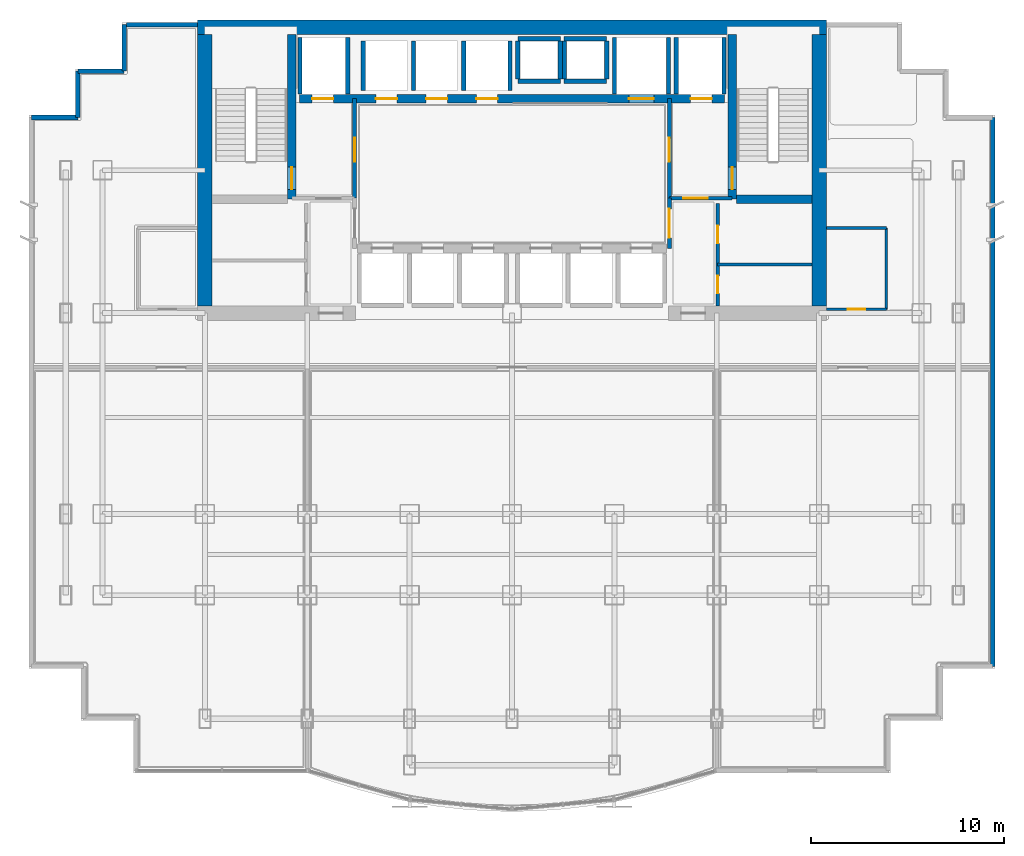
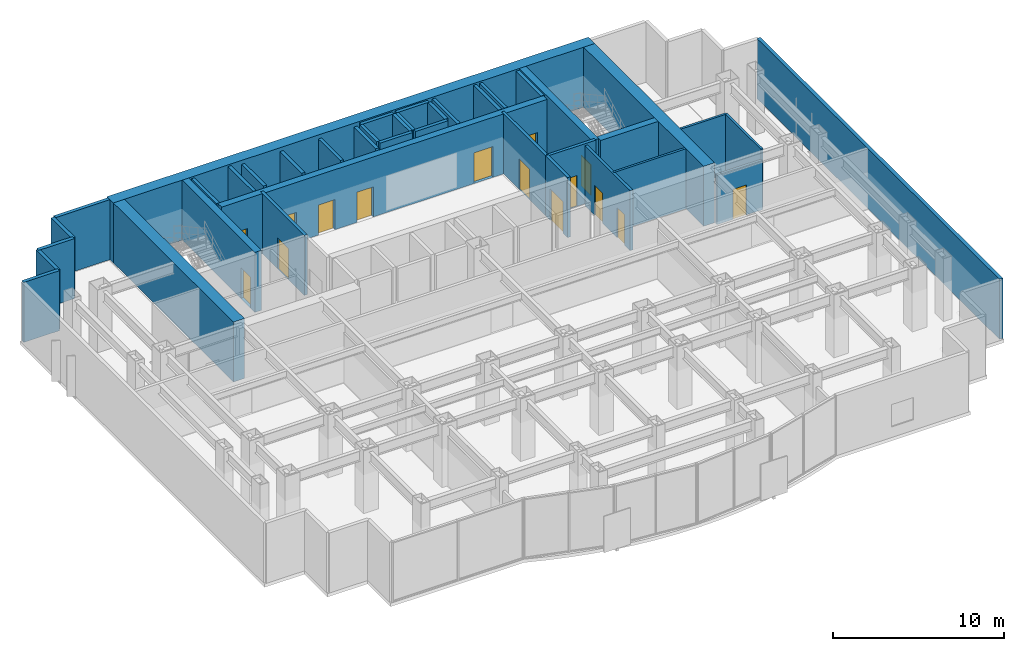
# One storey, part 6 of 9: 40 walls, 15 doors, 15 openings.
"""IFC4 building model written with IfcOpenShell, lengths in metres."""

from ifc_helpers import new_model, si_unit, direction, frame, frame_2d, origin, place, context, subcontext, project, spatial, rectangle, extrude, material, layer, layer_set, type_object, element, fill, save


model = new_model("IFC4")

# Units and contexts
model_context = context("Model", 3, precision=1e-05, world=origin(), true_north=direction((0.0, 1.0)))
body_context = subcontext(model_context, "Body", "Model", "MODEL_VIEW")
ifc_project = project(units=[si_unit("LENGTHUNIT", "METRE"), si_unit("AREAUNIT", "SQUARE_METRE"), si_unit("VOLUMEUNIT", "CUBIC_METRE"), si_unit("PLANEANGLEUNIT", "RADIAN"), si_unit("MASSUNIT", "GRAM", prefix="KILO")], contexts=[model_context])

# Site, building, storey
site_placement = place(None, origin())
site = spatial("IfcSite", under=ifc_project, at=site_placement, CompositionType="ELEMENT")
building_placement = place(site_placement, origin())
building = spatial("IfcBuilding", under=site, at=building_placement, Name="Qianlan Lanfeng Residences", CompositionType="ELEMENT")
storey_placement = place(building_placement, frame((0.0, 0.0, 77.199951171875)))
storey = spatial("IfcBuildingStorey", under=building, at=storey_placement, Name="L20", CompositionType="ELEMENT", Elevation=77.199951171875)

# Wall, opening, door
ifc_material_1 = material(Name="Concrete C60", Category="concrete")
ifc_layer_1 = layer(ifc_material_1, 0.449951171875)
ifc_layer_set_1 = layer_set([ifc_layer_1], Name="Concrete C60")
wall_type_1 = type_object("IfcWallType", Name="CW-RC-450", PredefinedType="SHEAR", material=ifc_layer_set_1)
wall_1_placement = place(storey_placement, frame((15.10009765625, 31.10009765625, 0.0), z_axis=(0.0, 0.0, 1.0), x_axis=(0.0, 1.0, 0.0)))
wall_1 = element("IfcWall", 1, at=wall_1_placement, inside=storey, type_object=wall_type_1, Name="L20 Core Shear Wall ST1E", PredefinedType="SHEAR", context=body_context, shape_type="SweptSolid", body=[
    extrude(rectangle(XDim=8.52490234375, YDim=0.449951171875, at=frame_2d((4.262451171875, 0.0))), origin(), (0.0, 0.0, 1.0), 4.2900390625),
])
opening_1_placement = place(wall_1_placement, frame((0.510009765625, 0.0, 0.0)))
opening_1 = element("IfcOpeningElement", 2, at=opening_1_placement, cuts=wall_1, Name="Opening L20-D07", PredefinedType="OPENING", context=body_context, shape_type="SweptSolid", body=[
    extrude(rectangle(XDim=1.14990234375, YDim=2.199951171875, at=frame_2d((0.574951171875, 1.10009765625))), frame((0.0, 0.23486328125, 0.0), z_axis=(0.0, -1.0, 0.0), x_axis=(1.0, 0.0, 0.0)), (0.0, 0.0, 1.0), 0.469970703125),
])
ifc_material_2 = material(Name="Painted Galvanised Steel Fire Door", Category="steel")
door_type_1 = type_object("IfcDoorType", Name="DT-ST1", OperationType="NOTDEFINED", PredefinedType="DOOR", material=ifc_material_2)
door_1_placement = place(opening_1_placement, frame((1.14990234375, 0.0, 0.0), z_axis=(0.0, 0.0, 1.0), x_axis=(-1.0, 0.0, 0.0)))
door_1 = element("IfcDoor", 3, at=door_1_placement, inside=storey, type_object=door_type_1, Name="L20 Exit Stair ST-1 Door L20-D07 (DT-ST1)", OperationType="SINGLE_SWING_RIGHT", OverallHeight=2.199951171875, OverallWidth=1.14990234375, PredefinedType="DOOR", context=body_context, shape_type="SweptSolid", body=[
    extrude(rectangle(XDim=1.14990234375, YDim=2.199951171875, at=frame_2d((0.574951171875, 1.10009765625))), frame((0.0, 0.02490234375, 0.0), z_axis=(0.0, -1.0, 0.0), x_axis=(1.0, 0.0, 0.0)), (0.0, 0.0, 1.0), 0.050048828125),
])
fill(opening_1, door_1)

wall_2_placement = place(storey_placement, frame((37.89990234375, 31.10009765625, 0.0), z_axis=(0.0, 0.0, 1.0), x_axis=(0.0, 1.0, 0.0)))
wall_2 = element("IfcWall", 4, at=wall_2_placement, inside=storey, type_object=wall_type_1, Name="L20 Core Shear Wall ST2W", PredefinedType="SHEAR", context=body_context, shape_type="SweptSolid", body=[
    extrude(rectangle(XDim=8.52490234375, YDim=0.449951171875, at=frame_2d((4.262451171875, 0.0))), origin(), (0.0, 0.0, 1.0), 4.2900390625),
])
opening_2_placement = place(wall_2_placement, frame((0.510009765625, 0.0, 0.0)))
opening_2 = element("IfcOpeningElement", 5, at=opening_2_placement, cuts=wall_2, Name="Opening L20-D08", PredefinedType="OPENING", context=body_context, shape_type="SweptSolid", body=[
    extrude(rectangle(XDim=1.14990234375, YDim=2.199951171875, at=frame_2d((0.574951171875, 1.10009765625))), frame((0.0, 0.23486328125, 0.0), z_axis=(0.0, -1.0, 0.0), x_axis=(1.0, 0.0, 0.0)), (0.0, 0.0, 1.0), 0.469970703125),
])
door_2_placement = place(opening_2_placement, origin())
door_2 = element("IfcDoor", 6, at=door_2_placement, inside=storey, type_object=door_type_1, Name="L20 Exit Stair ST-2 Door L20-D08 (DT-ST1)", OperationType="SINGLE_SWING_RIGHT", OverallHeight=2.199951171875, OverallWidth=1.14990234375, PredefinedType="DOOR", context=body_context, shape_type="SweptSolid", body=[
    extrude(rectangle(XDim=1.14990234375, YDim=2.199951171875, at=frame_2d((0.574951171875, 1.10009765625))), frame((0.0, 0.02490234375, 0.0), z_axis=(0.0, -1.0, 0.0), x_axis=(1.0, 0.0, 0.0)), (0.0, 0.0, 1.0), 0.050048828125),
])
fill(opening_2, door_2)

# Wall
wall_3_placement = place(storey_placement, frame((38.125, 31.10009765625, 0.0), z_axis=(0.0, 0.0, 1.0), x_axis=(1.0, 0.0, 0.0)))
element("IfcWall", 7, at=wall_3_placement, inside=storey, type_object=wall_type_1, Name="L20 Core Shear Wall ST2S", PredefinedType="SHEAR", context=body_context, shape_type="SweptSolid", body=[
    extrude(rectangle(XDim=3.89990234375, YDim=0.449951171875, at=frame_2d((1.949951171875, 0.0))), origin(), (0.0, 0.0, 1.0), 4.2900390625),
])

# Wall, openings, doors
wall_4_placement = place(storey_placement, frame((15.5, 36.300048828125, 0.0), z_axis=(0.0, 0.0, 1.0), x_axis=(1.0, 0.0, 0.0)))
wall_4 = element("IfcWall", 8, at=wall_4_placement, inside=storey, type_object=wall_type_1, Name="L20 Core Shear Wall LBN", PredefinedType="SHEAR", context=body_context, shape_type="SweptSolid", body=[
    extrude(rectangle(XDim=22.0, YDim=0.449951171875, at=frame_2d((11.0, 0.0))), origin(), (0.0, 0.0, 1.0), 4.2900390625),
])
opening_3_placement = place(wall_4_placement, frame((0.64990234375, 0.0, 0.0)))
opening_3 = element("IfcOpeningElement", 9, at=opening_3_placement, cuts=wall_4, Name="Opening L20-LD-FFL-1", PredefinedType="OPENING", context=body_context, shape_type="SweptSolid", body=[
    extrude(rectangle(XDim=1.10009765625, YDim=2.14990234375, at=frame_2d((0.550048828125, 1.074951171875))), frame((0.0, 0.23486328125, 0.0), z_axis=(0.0, -1.0, 0.0), x_axis=(1.0, 0.0, 0.0)), (0.0, 0.0, 1.0), 0.469970703125),
])
opening_4_placement = place(wall_4_placement, frame((20.25, 0.0, 0.0)))
opening_4 = element("IfcOpeningElement", 10, at=opening_4_placement, cuts=wall_4, Name="Opening L20-LD-FFL-2", PredefinedType="OPENING", context=body_context, shape_type="SweptSolid", body=[
    extrude(rectangle(XDim=1.10009765625, YDim=2.14990234375, at=frame_2d((0.550048828125, 1.074951171875))), frame((0.0, 0.23486328125, 0.0), z_axis=(0.0, -1.0, 0.0), x_axis=(1.0, 0.0, 0.0)), (0.0, 0.0, 1.0), 0.469970703125),
])
opening_5_placement = place(wall_4_placement, frame((17.050048828125, 0.0, 0.0)))
opening_5 = element("IfcOpeningElement", 11, at=opening_5_placement, cuts=wall_4, Name="Opening L20-LD-SVL-1", PredefinedType="OPENING", context=body_context, shape_type="SweptSolid", body=[
    extrude(rectangle(XDim=1.300048828125, YDim=2.199951171875, at=frame_2d((0.64990234375, 1.10009765625))), frame((0.0, 0.23486328125, 0.0), z_axis=(0.0, -1.0, 0.0), x_axis=(1.0, 0.0, 0.0)), (0.0, 0.0, 1.0), 0.469970703125),
])
opening_6_placement = place(wall_4_placement, frame((3.949951171875, 0.0, 0.0)))
opening_6 = element("IfcOpeningElement", 12, at=opening_6_placement, cuts=wall_4, Name="Opening L20-LD-PL-H1", PredefinedType="OPENING", context=body_context, shape_type="SweptSolid", body=[
    extrude(rectangle(XDim=1.10009765625, YDim=2.14990234375, at=frame_2d((0.550048828125, 1.074951171875))), frame((0.0, 0.23486328125, 0.0), z_axis=(0.0, -1.0, 0.0), x_axis=(1.0, 0.0, 0.0)), (0.0, 0.0, 1.0), 0.469970703125),
])
opening_7_placement = place(wall_4_placement, frame((6.550048828125, 0.0, 0.0)))
opening_7 = element("IfcOpeningElement", 13, at=opening_7_placement, cuts=wall_4, Name="Opening L20-LD-PL-H2", PredefinedType="OPENING", context=body_context, shape_type="SweptSolid", body=[
    extrude(rectangle(XDim=1.10009765625, YDim=2.14990234375, at=frame_2d((0.550048828125, 1.074951171875))), frame((0.0, 0.23486328125, 0.0), z_axis=(0.0, -1.0, 0.0), x_axis=(1.0, 0.0, 0.0)), (0.0, 0.0, 1.0), 0.469970703125),
])
opening_8_placement = place(wall_4_placement, frame((9.14990234375, 0.0, 0.0)))
opening_8 = element("IfcOpeningElement", 14, at=opening_8_placement, cuts=wall_4, Name="Opening L20-LD-PL-H3", PredefinedType="OPENING", context=body_context, shape_type="SweptSolid", body=[
    extrude(rectangle(XDim=1.10009765625, YDim=2.14990234375, at=frame_2d((0.550048828125, 1.074951171875))), frame((0.0, 0.23486328125, 0.0), z_axis=(0.0, -1.0, 0.0), x_axis=(1.0, 0.0, 0.0)), (0.0, 0.0, 1.0), 0.469970703125),
])
ifc_material_3 = material(Name="Brushed Stainless Steel Sliding Lift Door", Category="steel")
door_type_2 = type_object("IfcDoorType", Name="LD-01", OperationType="NOTDEFINED", PredefinedType="DOOR", material=ifc_material_3)
door_3_placement = place(opening_3_placement, frame((1.10009765625, 0.0, 0.0), z_axis=(0.0, 0.0, 1.0), x_axis=(-1.0, 0.0, 0.0)))
door_3 = element("IfcDoor", 15, at=door_3_placement, inside=storey, type_object=door_type_2, Name="L20 Elevator FFL-1 Sliding Landing Door", OperationType="DOUBLE_DOOR_SLIDING", OverallHeight=2.14990234375, OverallWidth=1.10009765625, PredefinedType="DOOR", context=body_context, shape_type="SweptSolid", body=[
    extrude(rectangle(XDim=1.10009765625, YDim=2.14990234375, at=frame_2d((0.550048828125, 1.074951171875))), frame((0.0, 0.02490234375, 0.0), z_axis=(0.0, -1.0, 0.0), x_axis=(1.0, 0.0, 0.0)), (0.0, 0.0, 1.0), 0.050048828125),
])
fill(opening_3, door_3)
door_4_placement = place(opening_4_placement, frame((1.10009765625, 0.0, 0.0), z_axis=(0.0, 0.0, 1.0), x_axis=(-1.0, 0.0, 0.0)))
door_4 = element("IfcDoor", 16, at=door_4_placement, inside=storey, type_object=door_type_2, Name="L20 Elevator FFL-2 Sliding Landing Door", OperationType="DOUBLE_DOOR_SLIDING", OverallHeight=2.14990234375, OverallWidth=1.10009765625, PredefinedType="DOOR", context=body_context, shape_type="SweptSolid", body=[
    extrude(rectangle(XDim=1.10009765625, YDim=2.14990234375, at=frame_2d((0.550048828125, 1.074951171875))), frame((0.0, 0.02490234375, 0.0), z_axis=(0.0, -1.0, 0.0), x_axis=(1.0, 0.0, 0.0)), (0.0, 0.0, 1.0), 0.050048828125),
])
fill(opening_4, door_4)
door_5_placement = place(opening_6_placement, frame((1.10009765625, 0.0, 0.0), z_axis=(0.0, 0.0, 1.0), x_axis=(-1.0, 0.0, 0.0)))
door_5 = element("IfcDoor", 17, at=door_5_placement, inside=storey, type_object=door_type_2, Name="L20 Elevator PL-H1 Sliding Landing Door", OperationType="DOUBLE_DOOR_SLIDING", OverallHeight=2.14990234375, OverallWidth=1.10009765625, PredefinedType="DOOR", context=body_context, shape_type="SweptSolid", body=[
    extrude(rectangle(XDim=1.10009765625, YDim=2.14990234375, at=frame_2d((0.550048828125, 1.074951171875))), frame((0.0, 0.02490234375, 0.0), z_axis=(0.0, -1.0, 0.0), x_axis=(1.0, 0.0, 0.0)), (0.0, 0.0, 1.0), 0.050048828125),
])
fill(opening_6, door_5)
door_6_placement = place(opening_7_placement, frame((1.10009765625, 0.0, 0.0), z_axis=(0.0, 0.0, 1.0), x_axis=(-1.0, 0.0, 0.0)))
door_6 = element("IfcDoor", 18, at=door_6_placement, inside=storey, type_object=door_type_2, Name="L20 Elevator PL-H2 Sliding Landing Door", OperationType="DOUBLE_DOOR_SLIDING", OverallHeight=2.14990234375, OverallWidth=1.10009765625, PredefinedType="DOOR", context=body_context, shape_type="SweptSolid", body=[
    extrude(rectangle(XDim=1.10009765625, YDim=2.14990234375, at=frame_2d((0.550048828125, 1.074951171875))), frame((0.0, 0.02490234375, 0.0), z_axis=(0.0, -1.0, 0.0), x_axis=(1.0, 0.0, 0.0)), (0.0, 0.0, 1.0), 0.050048828125),
])
fill(opening_7, door_6)
door_7_placement = place(opening_8_placement, frame((1.10009765625, 0.0, 0.0), z_axis=(0.0, 0.0, 1.0), x_axis=(-1.0, 0.0, 0.0)))
door_7 = element("IfcDoor", 19, at=door_7_placement, inside=storey, type_object=door_type_2, Name="L20 Elevator PL-H3 Sliding Landing Door", OperationType="DOUBLE_DOOR_SLIDING", OverallHeight=2.14990234375, OverallWidth=1.10009765625, PredefinedType="DOOR", context=body_context, shape_type="SweptSolid", body=[
    extrude(rectangle(XDim=1.10009765625, YDim=2.14990234375, at=frame_2d((0.550048828125, 1.074951171875))), frame((0.0, 0.02490234375, 0.0), z_axis=(0.0, -1.0, 0.0), x_axis=(1.0, 0.0, 0.0)), (0.0, 0.0, 1.0), 0.050048828125),
])
fill(opening_8, door_7)
door_type_3 = type_object("IfcDoorType", Name="LD-02", OperationType="NOTDEFINED", PredefinedType="DOOR", material=ifc_material_3)
door_8_placement = place(opening_5_placement, frame((1.300048828125, 0.0, 0.0), z_axis=(0.0, 0.0, 1.0), x_axis=(-1.0, 0.0, 0.0)))
door_8 = element("IfcDoor", 20, at=door_8_placement, inside=storey, type_object=door_type_3, Name="L20 Elevator SVL-1 Sliding Landing Door", OperationType="DOUBLE_DOOR_SLIDING", OverallHeight=2.199951171875, OverallWidth=1.300048828125, PredefinedType="DOOR", context=body_context, shape_type="SweptSolid", body=[
    extrude(rectangle(XDim=1.300048828125, YDim=2.199951171875, at=frame_2d((0.64990234375, 1.10009765625))), frame((0.0, 0.02490234375, 0.0), z_axis=(0.0, -1.0, 0.0), x_axis=(1.0, 0.0, 0.0)), (0.0, 0.0, 1.0), 0.050048828125),
])
fill(opening_5, door_8)

# Walls
ifc_layer_2 = layer(ifc_material_1, 0.75)
ifc_layer_set_2 = layer_set([ifc_layer_2], Name="Concrete C60")
wall_type_2 = type_object("IfcWallType", Name="CW-RC-750", PredefinedType="SHEAR", material=ifc_layer_set_2)
wall_5_placement = place(storey_placement, frame((10.22509765625, 40.0, 0.0), z_axis=(0.0, 0.0, 1.0), x_axis=(1.0, 0.0, 0.0)))
element("IfcWall", 21, at=wall_5_placement, inside=storey, type_object=wall_type_2, Name="L20 Core Shear Wall N", PredefinedType="SHEAR", context=body_context, shape_type="SweptSolid", body=[
    extrude(rectangle(XDim=32.5498046875, YDim=0.75, at=frame_2d((16.27490234375, 0.0))), origin(), (0.0, 0.0, 1.0), 4.2900390625),
])
for number, where, z_axis, x_axis, name in (
    (22, (10.60009765625, 25.574951171875, 0.0), (0.0, 0.0, 1.0), (0.0, 1.0, 0.0), "L20 Core Shear Wall W"),
    (23, (42.39990234375, 25.574951171875, 0.0), (0.0, 0.0, 1.0), (0.0, 1.0, 0.0), "L20 Core Shear Wall E"),
):
    element("IfcWall", number, at=place(storey_placement, frame(where, z_axis=z_axis, x_axis=x_axis)), inside=storey, type_object=wall_type_2, Name=name, PredefinedType="SHEAR", context=body_context, shape_type="SweptSolid", body=[
        extrude(rectangle(XDim=14.050048828125, YDim=0.75, at=frame_2d((7.02490234375, 0.0))), origin(), (0.0, 0.0, 1.0), 4.2900390625),
    ])
ifc_material_4 = material(Name="Concrete C42", Category="concrete")
ifc_layer_3 = layer(ifc_material_4, 0.239990234375)
ifc_layer_set_3 = layer_set([ifc_layer_3], Name="Concrete C42")
wall_type_3 = type_object("IfcWallType", Name="EW-240", PredefinedType="SOLIDWALL", material=ifc_layer_set_3)
wall_6_placement = place(storey_placement, frame((51.3798828125, 6.919921875, 0.0), z_axis=(0.0, 0.0, 1.0), x_axis=(0.0, 1.0, 0.0)))
element("IfcWall", 24, at=wall_6_placement, inside=storey, type_object=wall_type_3, Name="L20 Exterior Facade Spandrel Wall 10", PredefinedType="SOLIDWALL", context=body_context, shape_type="SweptSolid", body=[
    extrude(rectangle(XDim=28.41015625, YDim=0.239990234375, at=frame_2d((14.205078125, 0.0))), origin(), (0.0, 0.0, 1.0), 4.2900390625),
])
wall_7_placement = place(storey_placement, frame((10.22509765625, 40.1298828125, 0.0), z_axis=(0.0, 0.0, 1.0), x_axis=(-1.0, 0.0, 0.0)))
element("IfcWall", 25, at=wall_7_placement, inside=storey, type_object=wall_type_3, Name="L20 North Wing Exterior Wall W", PredefinedType="SOLIDWALL", context=body_context, shape_type="SweptSolid", body=[
    extrude(rectangle(XDim=3.675048828125, YDim=0.239990234375, at=frame_2d((1.83740234375, 0.0))), origin(), (0.0, 0.0, 1.0), 4.2900390625),
])
for number, where, z_axis, x_axis, name in (
    (26, (6.419921875, 40.1298828125, 0.0), (0.0, 0.0, 1.0), (0.0, -1.0, 0.0), "L20 Exterior Facade Spandrel Wall 17"),
    (27, (6.419921875, 37.72998046875, 0.0), (0.0, 0.0, 1.0), (-1.0, 0.0, 0.0), "L20 Exterior Facade Spandrel Wall 18"),
    (28, (4.02001953125, 37.72998046875, 0.0), (0.0, 0.0, 1.0), (0.0, -1.0, 0.0), "L20 Exterior Facade Spandrel Wall 19"),
    (29, (4.02001953125, 35.330078125, 0.0), (0.0, 0.0, 1.0), (-1.0, 0.0, 0.0), "L20 Exterior Facade Spandrel Wall 20"),
):
    element("IfcWall", number, at=place(storey_placement, frame(where, z_axis=z_axis, x_axis=x_axis)), inside=storey, type_object=wall_type_3, Name=name, PredefinedType="SOLIDWALL", context=body_context, shape_type="SweptSolid", body=[
        extrude(rectangle(XDim=2.39990234375, YDim=0.239990234375, at=frame_2d((1.199951171875, 0.0))), origin(), (0.0, 0.0, 1.0), 4.2900390625),
    ])
ifc_material_5 = material(Name="Acoustic Drywall Partition 150 mm")
ifc_layer_4 = layer(ifc_material_5, 0.14990234375)
ifc_layer_set_4 = layer_set([ifc_layer_4], Name="Acoustic Drywall Partition 150 mm")
wall_type_4 = type_object("IfcWallType", Name="PW-150", PredefinedType="PARTITIONING", material=ifc_layer_set_4)
wall_8_placement = place(storey_placement, frame((37.14990234375, 27.72509765625, 0.0), z_axis=(0.0, 0.0, 1.0), x_axis=(1.0, 0.0, 0.0)))
element("IfcWall", 30, at=wall_8_placement, inside=storey, type_object=wall_type_4, Name="L20 Core East Split", PredefinedType="PARTITIONING", context=body_context, shape_type="SweptSolid", body=[
    extrude(rectangle(XDim=4.875, YDim=0.14990234375, at=frame_2d((2.4375, 0.0))), origin(), (0.0, 0.0, 1.0), 4.2900390625),
])

# Wall, opening, door
wall_9_placement = place(storey_placement, frame((42.77490234375, 25.39990234375, 0.0), z_axis=(0.0, 0.0, 1.0), x_axis=(1.0, 0.0, 0.0)))
wall_9 = element("IfcWall", 31, at=wall_9_placement, inside=storey, type_object=wall_type_4, Name="L20 Accessible WC South Wall", PredefinedType="PARTITIONING", context=body_context, shape_type="SweptSolid", body=[
    extrude(rectangle(XDim=3.10009765625, YDim=0.14990234375, at=frame_2d((1.550048828125, 0.0))), origin(), (0.0, 0.0, 1.0), 3.53515625),
])
opening_9_placement = place(wall_9_placement, frame((1.10009765625, 0.0, 0.0)))
opening_9 = element("IfcOpeningElement", 32, at=opening_9_placement, cuts=wall_9, Name="Opening L20-D19", PredefinedType="OPENING", context=body_context, shape_type="SweptSolid", body=[
    extrude(rectangle(XDim=0.89990234375, YDim=2.14990234375, at=frame_2d((0.449951171875, 1.074951171875))), frame((0.0, 0.0849609375, 0.0), z_axis=(0.0, -1.0, 0.0), x_axis=(1.0, 0.0, 0.0)), (0.0, 0.0, 1.0), 0.169921875),
])
ifc_material_6 = material(Name="Moisture-Resistant Timber Leaf", Category="wood")
door_type_4 = type_object("IfcDoorType", Name="DT-WC", OperationType="NOTDEFINED", PredefinedType="DOOR", material=ifc_material_6)
door_9_placement = place(opening_9_placement, origin())
door_9 = element("IfcDoor", 33, at=door_9_placement, inside=storey, type_object=door_type_4, Name="L20 Accessible WC Door L20-D19 (DT-WC)", OperationType="SINGLE_SWING_LEFT", OverallHeight=2.14990234375, OverallWidth=0.89990234375, PredefinedType="DOOR", context=body_context, shape_type="SweptSolid", body=[
    extrude(rectangle(XDim=0.89990234375, YDim=2.14990234375, at=frame_2d((0.449951171875, 1.074951171875))), frame((0.0, 0.02490234375, 0.0), z_axis=(0.0, -1.0, 0.0), x_axis=(1.0, 0.0, 0.0)), (0.0, 0.0, 1.0), 0.050048828125),
])
fill(opening_9, door_9)

# Walls
wall_10_placement = place(storey_placement, frame((45.875, 25.39990234375, 0.0), z_axis=(0.0, 0.0, 1.0), x_axis=(0.0, 1.0, 0.0)))
element("IfcWall", 34, at=wall_10_placement, inside=storey, type_object=wall_type_4, Name="L20 Accessible WC East Wall", PredefinedType="PARTITIONING", context=body_context, shape_type="SweptSolid", body=[
    extrude(rectangle(XDim=4.2001953125, YDim=0.14990234375, at=frame_2d((2.10009765625, 0.0))), origin(), (0.0, 0.0, 1.0), 4.2900390625),
])
wall_11_placement = place(storey_placement, frame((42.77490234375, 29.60009765625, 0.0), z_axis=(0.0, 0.0, 1.0), x_axis=(1.0, 0.0, 0.0)))
element("IfcWall", 35, at=wall_11_placement, inside=storey, type_object=wall_type_4, Name="L20 Accessible WC North Wall", PredefinedType="PARTITIONING", context=body_context, shape_type="SweptSolid", body=[
    extrude(rectangle(XDim=3.10009765625, YDim=0.14990234375, at=frame_2d((1.550048828125, 0.0))), origin(), (0.0, 0.0, 1.0), 4.2900390625),
])

# Wall, openings, doors
ifc_material_7 = material(Name="Double-Layer Acoustic Gypsum Stud Wall 180 mm")
ifc_layer_5 = layer(ifc_material_7, 0.179931640625)
ifc_layer_set_5 = layer_set([ifc_layer_5], Name="Double-Layer Acoustic Gypsum Stud Wall 180 mm")
wall_type_5 = type_object("IfcWallType", Name="PW-180", PredefinedType="PARTITIONING", material=ifc_layer_set_5)
wall_12_placement = place(storey_placement, frame((37.14990234375, 25.574951171875, 0.0), z_axis=(0.0, 0.0, 1.0), x_axis=(0.0, 1.0, 0.0)))
wall_12 = element("IfcWall", 36, at=wall_12_placement, inside=storey, type_object=wall_type_5, Name="L20 Core East Service Room Wall", PredefinedType="PARTITIONING", context=body_context, shape_type="SweptSolid", body=[
    extrude(rectangle(XDim=5.300048828125, YDim=0.179931640625, at=frame_2d((2.64990234375, 0.0))), origin(), (0.0, 0.0, 1.0), 4.2900390625),
])
opening_10_placement = place(wall_12_placement, frame((0.64990234375, 0.0, 0.0)))
opening_10 = element("IfcOpeningElement", 37, at=opening_10_placement, cuts=wall_12, Name="Opening L20-D11", PredefinedType="OPENING", context=body_context, shape_type="SweptSolid", body=[
    extrude(rectangle(XDim=0.89990234375, YDim=2.14990234375, at=frame_2d((0.449951171875, 1.074951171875))), frame((0.0, 0.10009765625, 0.0), z_axis=(0.0, -1.0, 0.0), x_axis=(1.0, 0.0, 0.0)), (0.0, 0.0, 1.0), 0.199951171875),
])
opening_11_placement = place(wall_12_placement, frame((3.239990234375, 0.0, 0.0)))
opening_11 = element("IfcOpeningElement", 38, at=opening_11_placement, cuts=wall_12, Name="Opening L20-D12", PredefinedType="OPENING", context=body_context, shape_type="SweptSolid", body=[
    extrude(rectangle(XDim=0.919921875, YDim=2.14990234375, at=frame_2d((0.4599609375, 1.074951171875))), frame((0.0, 0.10009765625, 0.0), z_axis=(0.0, -1.0, 0.0), x_axis=(1.0, 0.0, 0.0)), (0.0, 0.0, 1.0), 0.199951171875),
])
ifc_material_8 = material(Name="Glazed Timber Kitchen/Study Door", Category="wood")
door_type_5 = type_object("IfcDoorType", Name="DT-INT", OperationType="NOTDEFINED", PredefinedType="DOOR", material=ifc_material_8)
door_10_placement = place(opening_11_placement, origin())
door_10 = element("IfcDoor", 39, at=door_10_placement, inside=storey, type_object=door_type_5, Name="L20 Refuse Room Door L20-D12 (DT-INT)", OperationType="SINGLE_SWING_RIGHT", OverallHeight=2.14990234375, OverallWidth=0.919921875, PredefinedType="DOOR", context=body_context, shape_type="SweptSolid", body=[
    extrude(rectangle(XDim=0.919921875, YDim=2.14990234375, at=frame_2d((0.4599609375, 1.074951171875))), frame((0.0, 0.02490234375, 0.0), z_axis=(0.0, -1.0, 0.0), x_axis=(1.0, 0.0, 0.0)), (0.0, 0.0, 1.0), 0.050048828125),
])
fill(opening_11, door_10)
door_11_placement = place(opening_10_placement, origin())
door_11 = element("IfcDoor", 40, at=door_11_placement, inside=storey, type_object=door_type_4, Name="L20 Core WC Door L20-D11 (DT-WC)", OperationType="SINGLE_SWING_LEFT", OverallHeight=2.14990234375, OverallWidth=0.89990234375, PredefinedType="DOOR", context=body_context, shape_type="SweptSolid", body=[
    extrude(rectangle(XDim=0.89990234375, YDim=2.14990234375, at=frame_2d((0.449951171875, 1.074951171875))), frame((0.0, 0.02490234375, 0.0), z_axis=(0.0, -1.0, 0.0), x_axis=(1.0, 0.0, 0.0)), (0.0, 0.0, 1.0), 0.050048828125),
])
fill(opening_10, door_11)

# Wall, opening, door
ifc_material_9 = material(Name="Autoclaved Aerated Concrete Blockwork 200 mm", Category="masonry")
ifc_layer_6 = layer(ifc_material_9, 0.199951171875)
ifc_layer_set_6 = layer_set([ifc_layer_6], Name="Autoclaved Aerated Concrete Blockwork 200 mm")
wall_type_6 = type_object("IfcWallType", Name="PW-200", PredefinedType="PARTITIONING", material=ifc_layer_set_6)
wall_13_placement = place(storey_placement, frame((18.35009765625, 31.14990234375, 0.0), z_axis=(0.0, 0.0, 1.0), x_axis=(0.0, 1.0, 0.0)))
wall_13 = element("IfcWall", 41, at=wall_13_placement, inside=storey, type_object=wall_type_6, Name="L20 Firefighting Lobby 1 East Wall", PredefinedType="PARTITIONING", context=body_context, shape_type="SweptSolid", body=[
    extrude(rectangle(XDim=5.150146484375, YDim=0.199951171875, at=frame_2d((2.5751953125, 0.0))), origin(), (0.0, 0.0, 1.0), 4.2900390625),
])
opening_12_placement = place(wall_13_placement, frame((1.875, 0.0, 0.0)))
opening_12 = element("IfcOpeningElement", 42, at=opening_12_placement, cuts=wall_13, Name="Opening L20-D04", PredefinedType="OPENING", context=body_context, shape_type="SweptSolid", body=[
    extrude(rectangle(XDim=1.25, YDim=2.199951171875, at=frame_2d((0.625, 1.10009765625))), frame((0.0, 0.10986328125, 0.0), z_axis=(0.0, -1.0, 0.0), x_axis=(1.0, 0.0, 0.0)), (0.0, 0.0, 1.0), 0.219970703125),
])
door_type_6 = type_object("IfcDoorType", Name="DT-FFL", OperationType="NOTDEFINED", PredefinedType="DOOR", material=ifc_material_2)
door_12_placement = place(opening_12_placement, origin())
door_12 = element("IfcDoor", 43, at=door_12_placement, inside=storey, type_object=door_type_6, Name="L20 Firefighting Lobby 1 Lift Lobby Door L20-D04 (DT-FFL)", OperationType="SINGLE_SWING_RIGHT", OverallHeight=2.199951171875, OverallWidth=1.25, PredefinedType="DOOR", context=body_context, shape_type="SweptSolid", body=[
    extrude(rectangle(XDim=1.25, YDim=2.199951171875, at=frame_2d((0.625, 1.10009765625))), frame((0.0, 0.02490234375, 0.0), z_axis=(0.0, -1.0, 0.0), x_axis=(1.0, 0.0, 0.0)), (0.0, 0.0, 1.0), 0.050048828125),
])
fill(opening_12, door_12)

wall_14_placement = place(storey_placement, frame((34.64990234375, 31.14990234375, 0.0), z_axis=(0.0, 0.0, 1.0), x_axis=(1.0, 0.0, 0.0)))
wall_14 = element("IfcWall", 44, at=wall_14_placement, inside=storey, type_object=wall_type_6, Name="L20 Firefighting Lobby 2 South Wall", PredefinedType="PARTITIONING", context=body_context, shape_type="SweptSolid", body=[
    extrude(rectangle(XDim=3.25, YDim=0.199951171875, at=frame_2d((1.625, 0.0))), origin(), (0.0, 0.0, 1.0), 4.2900390625),
])
opening_13_placement = place(wall_14_placement, frame((0.72509765625, 0.0, 0.0)))
opening_13 = element("IfcOpeningElement", 45, at=opening_13_placement, cuts=wall_14, Name="Opening L20-D05", PredefinedType="OPENING", context=body_context, shape_type="SweptSolid", body=[
    extrude(rectangle(XDim=1.25, YDim=2.199951171875, at=frame_2d((0.625, 1.10009765625))), frame((0.0, 0.10986328125, 0.0), z_axis=(0.0, -1.0, 0.0), x_axis=(1.0, 0.0, 0.0)), (0.0, 0.0, 1.0), 0.219970703125),
])
door_13_placement = place(opening_13_placement, origin())
door_13 = element("IfcDoor", 46, at=door_13_placement, inside=storey, type_object=door_type_6, Name="L20 Firefighting Lobby 2 Entry Door L20-D05 (DT-FFL)", OperationType="SINGLE_SWING_RIGHT", OverallHeight=2.199951171875, OverallWidth=1.25, PredefinedType="DOOR", context=body_context, shape_type="SweptSolid", body=[
    extrude(rectangle(XDim=1.25, YDim=2.199951171875, at=frame_2d((0.625, 1.10009765625))), frame((0.0, 0.02490234375, 0.0), z_axis=(0.0, -1.0, 0.0), x_axis=(1.0, 0.0, 0.0)), (0.0, 0.0, 1.0), 0.050048828125),
])
fill(opening_13, door_13)

wall_15_placement = place(storey_placement, frame((34.64990234375, 31.14990234375, 0.0), z_axis=(0.0, 0.0, 1.0), x_axis=(0.0, 1.0, 0.0)))
wall_15 = element("IfcWall", 47, at=wall_15_placement, inside=storey, type_object=wall_type_6, Name="L20 Firefighting Lobby 2 West Wall", PredefinedType="PARTITIONING", context=body_context, shape_type="SweptSolid", body=[
    extrude(rectangle(XDim=5.150146484375, YDim=0.199951171875, at=frame_2d((2.5751953125, 0.0))), origin(), (0.0, 0.0, 1.0), 4.2900390625),
])
opening_14_placement = place(wall_15_placement, frame((1.875, 0.0, 0.0)))
opening_14 = element("IfcOpeningElement", 48, at=opening_14_placement, cuts=wall_15, Name="Opening L20-D06", PredefinedType="OPENING", context=body_context, shape_type="SweptSolid", body=[
    extrude(rectangle(XDim=1.25, YDim=2.199951171875, at=frame_2d((0.625, 1.10009765625))), frame((0.0, 0.10986328125, 0.0), z_axis=(0.0, -1.0, 0.0), x_axis=(1.0, 0.0, 0.0)), (0.0, 0.0, 1.0), 0.219970703125),
])
door_14_placement = place(opening_14_placement, origin())
door_14 = element("IfcDoor", 49, at=door_14_placement, inside=storey, type_object=door_type_6, Name="L20 Firefighting Lobby 2 Lift Lobby Door L20-D06 (DT-FFL)", OperationType="SINGLE_SWING_RIGHT", OverallHeight=2.199951171875, OverallWidth=1.25, PredefinedType="DOOR", context=body_context, shape_type="SweptSolid", body=[
    extrude(rectangle(XDim=1.25, YDim=2.199951171875, at=frame_2d((0.625, 1.10009765625))), frame((0.0, 0.02490234375, 0.0), z_axis=(0.0, -1.0, 0.0), x_axis=(1.0, 0.0, 0.0)), (0.0, 0.0, 1.0), 0.050048828125),
])
fill(opening_14, door_14)

wall_16_placement = place(storey_placement, frame((34.64990234375, 28.550048828125, 0.0), z_axis=(0.0, 0.0, 1.0), x_axis=(0.0, 1.0, 0.0)))
wall_16 = element("IfcWall", 50, at=wall_16_placement, inside=storey, type_object=wall_type_6, Name="L20 Lift Lobby East Connector Wall", PredefinedType="PARTITIONING", context=body_context, shape_type="SweptSolid", body=[
    extrude(rectangle(XDim=2.599853515625, YDim=0.199951171875, at=frame_2d((1.2998046875, 0.0))), origin(), (0.0, 0.0, 1.0), 4.2900390625),
])
opening_15_placement = place(wall_16_placement, frame((0.550048828125, 0.0, 0.0)))
opening_15 = element("IfcOpeningElement", 51, at=opening_15_placement, cuts=wall_16, Name="Opening L20-D14", PredefinedType="OPENING", context=body_context, shape_type="SweptSolid", body=[
    extrude(rectangle(XDim=1.5, YDim=2.25, at=frame_2d((0.75, 1.125))), frame((0.0, 0.10986328125, 0.0), z_axis=(0.0, -1.0, 0.0), x_axis=(1.0, 0.0, 0.0)), (0.0, 0.0, 1.0), 0.219970703125),
])
ifc_material_10 = material(Name="Timber Veneer Acoustic Fire Door", Category="wood")
door_type_7 = type_object("IfcDoorType", Name="DT-COR1", OperationType="NOTDEFINED", PredefinedType="DOOR", material=ifc_material_10)
door_15_placement = place(opening_15_placement, frame((1.5, 0.0, 0.0), z_axis=(0.0, 0.0, 1.0), x_axis=(-1.0, 0.0, 0.0)))
door_15 = element("IfcDoor", 52, at=door_15_placement, inside=storey, type_object=door_type_7, Name="L20 Lift Lobby East Portal Door L20-D14 (DT-COR1)", OperationType="DOUBLE_DOOR_SINGLE_SWING", OverallHeight=2.25, OverallWidth=1.5, PredefinedType="DOOR", context=body_context, shape_type="SweptSolid", body=[
    extrude(rectangle(XDim=1.5, YDim=2.25, at=frame_2d((0.75, 1.125))), frame((0.0, 0.02490234375, 0.0), z_axis=(0.0, -1.0, 0.0), x_axis=(1.0, 0.0, 0.0)), (0.0, 0.0, 1.0), 0.050048828125),
])
fill(opening_15, door_15)

# Walls
ifc_material_11 = material(Name="Concrete C49", Category="concrete")
ifc_layer_7 = layer(ifc_material_11, 0.219970703125)
ifc_layer_set_7 = layer_set([ifc_layer_7], Name="Concrete C49")
wall_type_7 = type_object("IfcWallType", Name="SHW-220", PredefinedType="SOLIDWALL", material=ifc_layer_set_7)
for number, where, z_axis, x_axis, name in (
    (53, (15.52001953125, 36.550048828125, 0.0), (0.0, 0.0, 1.0), (0.0, 1.0, 0.0), "L20 Lift FFL-1 Shaft Wall W"),
    (54, (18.0, 36.550048828125, 0.0), (0.0, 0.0, 1.0), (0.0, 1.0, 0.0), "L20 Lift FFL-1 Shaft Wall E"),
    (55, (35.0, 36.550048828125, 0.0), (0.0, 0.0, 1.0), (0.0, 1.0, 0.0), "L20 Lift FFL-2 Shaft Wall W"),
    (56, (37.47998046875, 36.550048828125, 0.0), (0.0, 0.0, 1.0), (0.0, 1.0, 0.0), "L20 Lift FFL-2 Shaft Wall E"),
    (57, (31.800048828125, 36.550048828125, 0.0), (0.0, 0.0, 1.0), (0.0, 1.0, 0.0), "L20 Lift SVL-1 Shaft Wall W"),
    (58, (34.60009765625, 36.550048828125, 0.0), (0.0, 0.0, 1.0), (0.0, 1.0, 0.0), "L20 Lift SVL-1 Shaft Wall E"),
):
    element("IfcWall", number, at=place(storey_placement, frame(where, z_axis=z_axis, x_axis=x_axis)), inside=storey, type_object=wall_type_7, Name=name, PredefinedType="SOLIDWALL", context=body_context, shape_type="SweptSolid", body=[
        extrude(rectangle(XDim=2.929931640625, YDim=0.219970703125, at=frame_2d((1.46484375, 0.0))), origin(), (0.0, 0.0, 1.0), 4.2900390625),
    ])
for number, where, z_axis, x_axis, name in (
    (59, (18.800048828125, 36.719970703125, 0.0), (0.0, 0.0, 1.0), (0.0, 1.0, 0.0), "L20 Lift PL-H1 Shaft Wall W"),
    (60, (21.39990234375, 36.719970703125, 0.0), (0.0, 0.0, 1.0), (0.0, 1.0, 0.0), "L20 Lift PL-H2 Shaft Wall W"),
    (61, (24.0, 36.719970703125, 0.0), (0.0, 0.0, 1.0), (0.0, 1.0, 0.0), "L20 Lift PL-H3 Shaft Wall W"),
    (62, (26.39990234375, 36.719970703125, 0.0), (0.0, 0.0, 1.0), (0.0, 1.0, 0.0), "L20 Lift PL-H3 Shaft Wall E"),
):
    element("IfcWall", number, at=place(storey_placement, frame(where, z_axis=z_axis, x_axis=x_axis)), inside=storey, type_object=wall_type_7, Name=name, PredefinedType="SOLIDWALL", context=body_context, shape_type="SweptSolid", body=[
        extrude(rectangle(XDim=2.56005859375, YDim=0.219970703125, at=frame_2d((1.280029296875, 0.0))), origin(), (0.0, 0.0, 1.0), 4.2900390625),
    ])
for number, where, z_axis, x_axis, name in (
    (63, (26.800048828125, 37.31005859375, 0.0), (0.0, 0.0, 1.0), (0.0, 1.0, 0.0), "L20 MEP Riser MEP-R1 Shaft Wall W"),
    (64, (29.0, 37.31005859375, 0.0), (0.0, 0.0, 1.0), (0.0, 1.0, 0.0), "L20 MEP Riser MEP-R1 Shaft Wall E"),
):
    element("IfcWall", number, at=place(storey_placement, frame(where, z_axis=z_axis, x_axis=x_axis)), inside=storey, type_object=wall_type_7, Name=name, PredefinedType="SOLIDWALL", context=body_context, shape_type="SweptSolid", body=[
        extrude(rectangle(XDim=1.97998046875, YDim=0.219970703125, at=frame_2d((0.989990234375, 0.0))), origin(), (0.0, 0.0, 1.0), 4.2900390625),
    ])
for number, where, z_axis, x_axis, name in (
    (65, (26.800048828125, 39.39990234375, 0.0), (0.0, 0.0, 1.0), (1.0, 0.0, 0.0), "L20 MEP Riser MEP-R1 Shaft Wall N"),
    (66, (26.800048828125, 37.199951171875, 0.0), (0.0, 0.0, 1.0), (1.0, 0.0, 0.0), "L20 MEP Riser MEP-R1 Shaft Wall S"),
):
    element("IfcWall", number, at=place(storey_placement, frame(where, z_axis=z_axis, x_axis=x_axis)), inside=storey, type_object=wall_type_7, Name=name, PredefinedType="SOLIDWALL", context=body_context, shape_type="SweptSolid", body=[
        extrude(rectangle(XDim=2.199951171875, YDim=0.219970703125, at=frame_2d((1.10009765625, 0.0))), origin(), (0.0, 0.0, 1.0), 4.2900390625),
    ])
for number, where, z_axis, x_axis, name in (
    (67, (29.199951171875, 37.31005859375, 0.0), (0.0, 0.0, 1.0), (0.0, 1.0, 0.0), "L20 MEP Riser MEP-R2 Shaft Wall W"),
    (68, (31.39990234375, 37.31005859375, 0.0), (0.0, 0.0, 1.0), (0.0, 1.0, 0.0), "L20 MEP Riser MEP-R2 Shaft Wall E"),
):
    element("IfcWall", number, at=place(storey_placement, frame(where, z_axis=z_axis, x_axis=x_axis)), inside=storey, type_object=wall_type_7, Name=name, PredefinedType="SOLIDWALL", context=body_context, shape_type="SweptSolid", body=[
        extrude(rectangle(XDim=1.97998046875, YDim=0.219970703125, at=frame_2d((0.989990234375, 0.0))), origin(), (0.0, 0.0, 1.0), 4.2900390625),
    ])
for number, where, z_axis, x_axis, name in (
    (69, (29.199951171875, 39.39990234375, 0.0), (0.0, 0.0, 1.0), (1.0, 0.0, 0.0), "L20 MEP Riser MEP-R2 Shaft Wall N"),
    (70, (29.199951171875, 37.199951171875, 0.0), (0.0, 0.0, 1.0), (1.0, 0.0, 0.0), "L20 MEP Riser MEP-R2 Shaft Wall S"),
):
    element("IfcWall", number, at=place(storey_placement, frame(where, z_axis=z_axis, x_axis=x_axis)), inside=storey, type_object=wall_type_7, Name=name, PredefinedType="SOLIDWALL", context=body_context, shape_type="SweptSolid", body=[
        extrude(rectangle(XDim=2.199951171875, YDim=0.219970703125, at=frame_2d((1.10009765625, 0.0))), origin(), (0.0, 0.0, 1.0), 4.2900390625),
    ])

save(model, "model.ifc")
